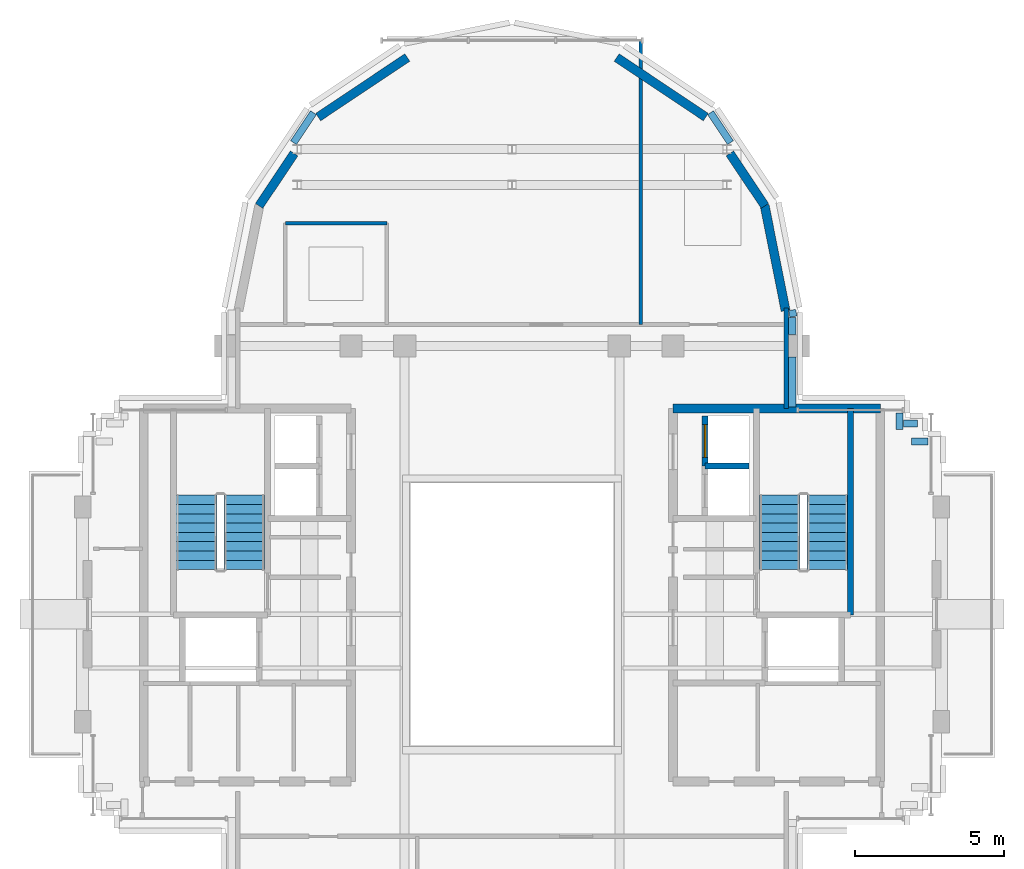
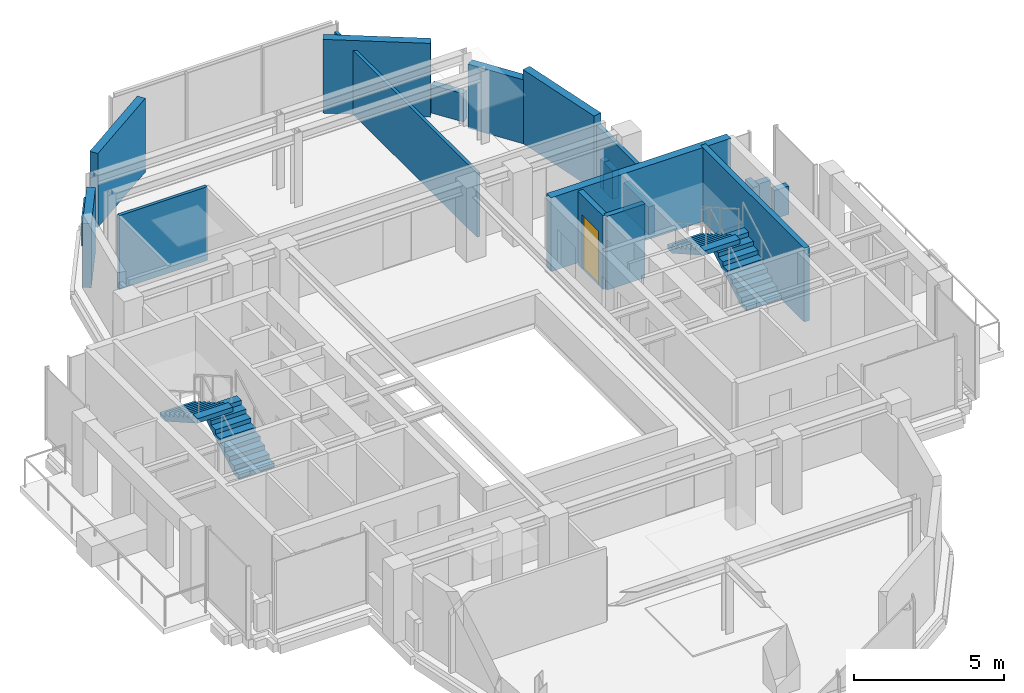
# One storey, part 9 of 12: 20 walls, 4 stair flights, 1 door, 1 opening, 2 elements without a shape of their own.
"""IFC4 building model written with IfcOpenShell, lengths in metres."""

from ifc_helpers import new_model, si_unit, direction, frame, frame_2d, origin, place, context, subcontext, project, spatial, polyline, rectangle, outline, extrude, source, transform, mapped, material, layer, layer_set, type_object, element, fill, aggregate, save


model = new_model("IFC4")

# Units and contexts
model_context = context("Model", 3, precision=1e-05, world=origin(), true_north=direction((0.0, 1.0)))
body_context = subcontext(model_context, "Body", "Model", "MODEL_VIEW")
ifc_project = project(units=[si_unit("LENGTHUNIT", "METRE"), si_unit("AREAUNIT", "SQUARE_METRE"), si_unit("VOLUMEUNIT", "CUBIC_METRE"), si_unit("PLANEANGLEUNIT", "RADIAN"), si_unit("MASSUNIT", "GRAM", prefix="KILO")], contexts=[model_context])

# Site, building, storey
site_placement = place(None, origin())
site = spatial("IfcSite", under=ifc_project, at=site_placement, CompositionType="ELEMENT")
building_placement = place(site_placement, origin())
building = spatial("IfcBuilding", under=site, at=building_placement, Name="Keilestroom Media Tower", CompositionType="ELEMENT")
storey_placement = place(building_placement, frame((0.0, 0.0, 258.800048828125)))
storey = spatial("IfcBuildingStorey", under=building, at=storey_placement, Name="L72", CompositionType="ELEMENT", Elevation=258.800048828125)

# Walls
ifc_material_1 = material(Name="Precast concrete C40/50", Category="concrete")
ifc_layer_1 = layer(ifc_material_1, 0.300048828125)
ifc_layer_set_1 = layer_set([ifc_layer_1], Name="Precast concrete C40/50")
wall_type_1 = type_object("IfcWallType", Name="Exterior-Masonry-Spandrel-Wall-300", PredefinedType="SOLIDWALL", material=ifc_layer_set_1)
wall_1_placement = place(storey_placement, frame((9.1748046875, 10.185302734375, 0.0), z_axis=(0.0, 0.0, 1.0), x_axis=(-0.195114232679, 0.980780523974, 0.0)))
element("IfcWall", 1, at=wall_1_placement, inside=storey, type_object=wall_type_1, Name="L72 Lobe Facet Precast Frame Wall 01", PredefinedType="SOLIDWALL", context=body_context, shape_type="SweptSolid", body=[
    extrude(rectangle(XDim=3.608642578125, YDim=0.300048828125, at=frame_2d((1.80419921875, 0.0))), origin(), (0.0, 0.0, 1.0), 3.010009765625),
])
wall_2_placement = place(storey_placement, frame((8.48193359375, 13.697509765625, 0.0), z_axis=(0.0, 0.0, 1.0), x_axis=(-0.555604299396, 0.831446848868, 0.0)))
element("IfcWall", 2, at=wall_2_placement, inside=storey, type_object=wall_type_1, Name="L72 Lobe Facet Precast Frame Wall 02", PredefinedType="SOLIDWALL", context=body_context, shape_type="SweptSolid", body=[
    extrude(rectangle(XDim=2.117919921875, YDim=0.300048828125, at=frame_2d((1.05908203125, 0.0))), origin(), (0.0, 0.0, 1.0), 2.60986328125),
])
for number, where, z_axis, x_axis, name in (
    (3, (6.497802734375, 16.677001953125, 0.0), (0.0, 0.0, 1.0), (-0.831443568068, 0.555609208993, 0.0), "L72 Lobe Facet Precast Frame Wall 03"),
    (4, (-3.510009765625, 18.673583984375, 0.0), (0.0, 0.0, 1.0), (-0.831443568068, -0.555609208993, 0.0), "L72 Lobe Facet Precast Frame Wall 04"),
):
    element("IfcWall", number, at=place(storey_placement, frame(where, z_axis=z_axis, x_axis=x_axis)), inside=storey, type_object=wall_type_1, Name=name, PredefinedType="SOLIDWALL", context=body_context, shape_type="SweptSolid", body=[
        extrude(rectangle(XDim=3.593505859375, YDim=0.300048828125, at=frame_2d((1.796875, 0.0))), origin(), (0.0, 0.0, 1.0), 3.010009765625),
    ])
wall_3_placement = place(storey_placement, frame((-7.30517578125, 15.45849609375, 0.0), z_axis=(0.0, 0.0, 1.0), x_axis=(-0.555604299396, -0.831446848868, 0.0)))
element("IfcWall", 5, at=wall_3_placement, inside=storey, type_object=wall_type_1, Name="L72 Lobe Facet Precast Frame Wall 05", PredefinedType="SOLIDWALL", context=body_context, shape_type="SweptSolid", body=[
    extrude(rectangle(XDim=2.117919921875, YDim=0.300048828125, at=frame_2d((1.05908203125, 0.0))), origin(), (0.0, 0.0, 1.0), 2.60986328125),
])
ifc_material_2 = material(Name="Gypsum Plasterboard & Steel Stud", Category="steel")
ifc_layer_2 = layer(ifc_material_2, 0.1201171875)
ifc_layer_set_2 = layer_set([ifc_layer_2], Name="Gypsum Plasterboard & Steel Stud")
wall_type_2 = type_object("IfcWallType", Name="Interior-Partition-Wall-120", PredefinedType="PARTITIONING", material=ifc_layer_set_2)
wall_4_placement = place(storey_placement, frame((4.320068359375, 9.719970703125, 0.0), z_axis=(0.0, 0.0, 1.0), x_axis=(0.0, 1.0, 0.0)))
element("IfcWall", 6, at=wall_4_placement, inside=storey, type_object=wall_type_2, Name="L72 Interior Wall WP-L72-NL-V1", PredefinedType="PARTITIONING", context=body_context, shape_type="SweptSolid", body=[
    extrude(rectangle(XDim=9.530029296875, YDim=0.1201171875, at=frame_2d((4.76513671875, 0.0))), origin(), (0.0, 0.0, 1.0), 2.60986328125),
])
wall_5_placement = place(storey_placement, frame((-7.60009765625, 13.1201171875, 0.0), z_axis=(0.0, 0.0, 1.0), x_axis=(1.0, 0.0, 0.0)))
element("IfcWall", 7, at=wall_5_placement, inside=storey, type_object=wall_type_2, Name="L72 Interior Wall WP-L72-NL-WC-N", PredefinedType="PARTITIONING", context=body_context, shape_type="SweptSolid", body=[
    extrude(rectangle(XDim=3.400146484375, YDim=0.1201171875, at=frame_2d((1.7001953125, 0.0))), origin(), (0.0, 0.0, 1.0), 3.010009765625),
])
ifc_layer_3 = layer(ifc_material_2, 0.14990234375)
ifc_layer_set_3 = layer_set([ifc_layer_3], Name="Gypsum Plasterboard & Steel Stud")
wall_type_3 = type_object("IfcWallType", Name="Interior-Partition-Wall-150", PredefinedType="PARTITIONING", material=ifc_layer_set_3)
wall_6_placement = place(storey_placement, frame((9.199951171875, 6.89990234375, 0.0), z_axis=(0.0, 0.0, 1.0), x_axis=(0.0, 1.0, 0.0)))
element("IfcWall", 8, at=wall_6_placement, inside=storey, type_object=wall_type_3, Name="L72 Interior Wall WP-L72-NL-CHKE", PredefinedType="PARTITIONING", context=body_context, shape_type="SweptSolid", body=[
    extrude(rectangle(XDim=3.380126953125, YDim=0.14990234375, at=frame_2d((1.68994140625, 0.0))), origin(), (0.0, 0.0, 1.0), 2.60986328125),
])
ifc_material_3 = material(Name="Concrete C50/60", Category="concrete")
ifc_layer_4 = layer(ifc_material_3, 0.300048828125)
ifc_layer_set_4 = layer_set([ifc_layer_4], Name="Concrete C50/60")
wall_type_4 = type_object("IfcWallType", Name="Reinforced-Concrete-Core-Shear-Wall-300", PredefinedType="SHEAR", material=ifc_layer_set_4)
wall_7_placement = place(storey_placement, frame((5.39990234375, 6.89990234375, 0.0), z_axis=(0.0, 0.0, 1.0), x_axis=(1.0, 0.0, 0.0)))
element("IfcWall", 9, at=wall_7_placement, inside=storey, type_object=wall_type_4, Name="L72 Core Shear Wall WL-L72-CORE-E-N", PredefinedType="SHEAR", context=body_context, shape_type="SweptSolid", body=[
    extrude(rectangle(XDim=6.9501953125, YDim=0.300048828125, at=frame_2d((3.47509765625, 0.0))), origin(), (0.0, 0.0, 1.0), 3.010009765625),
])
ifc_layer_5 = layer(ifc_material_3, 0.199951171875)
ifc_layer_set_5 = layer_set([ifc_layer_5], Name="Concrete C50/60")
wall_type_5 = type_object("IfcWallType", Name="Reinforced-Concrete-Shaft-Wall-200", PredefinedType="SOLIDWALL", material=ifc_layer_set_5)
wall_8_placement = place(storey_placement, frame((11.35595703125, -0.01611328125, 0.0), z_axis=(0.0, 0.0, 1.0), x_axis=(0.0, 1.0, 0.0)))
element("IfcWall", 10, at=wall_8_placement, inside=storey, type_object=wall_type_5, Name="L72 Core Shear Wall WL-L72-STW-E-FAR", PredefinedType="SOLIDWALL", context=body_context, shape_type="SweptSolid", body=[
    extrude(rectangle(XDim=6.916015625, YDim=0.199951171875, at=frame_2d((3.4580078125, 0.0))), origin(), (0.0, 0.0, 1.0), 3.010009765625),
])
wall_9_placement = place(storey_placement, frame((6.47998046875, 4.97998046875, 0.0), z_axis=(0.0, 0.0, 1.0), x_axis=(1.0, 0.0, 0.0)))
element("IfcWall", 11, at=wall_9_placement, inside=storey, type_object=wall_type_5, Name="L72 Core Shear Wall WL-L72-LSH-PL-H3-N", PredefinedType="SOLIDWALL", context=body_context, shape_type="SweptSolid", body=[
    extrude(rectangle(XDim=1.469970703125, YDim=0.199951171875, at=frame_2d((0.73486328125, 0.0))), origin(), (0.0, 0.0, 1.0), 3.010009765625),
])

# Wall, opening, door
wall_10_placement = place(storey_placement, frame((6.47998046875, 4.97998046875, 0.0), z_axis=(0.0, 0.0, 1.0), x_axis=(0.0, 1.0, 0.0)))
wall_10 = element("IfcWall", 12, at=wall_10_placement, inside=storey, type_object=wall_type_5, Name="L72 Core Shear Wall WL-L72-LSH-PL-H4-W", PredefinedType="SOLIDWALL", context=body_context, shape_type="SweptSolid", body=[
    extrude(rectangle(XDim=1.669921875, YDim=0.199951171875, at=frame_2d((0.8349609375, 0.0))), origin(), (0.0, 0.0, 1.0), 3.010009765625),
])
opening_placement = place(wall_10_placement, frame((0.284912109375, 0.0, 0.0)))
opening = element("IfcOpeningElement", 13, at=opening_placement, cuts=wall_10, Name="Opening LD-01", PredefinedType="OPENING", context=body_context, shape_type="SweptSolid", body=[
    extrude(rectangle(XDim=1.10009765625, YDim=2.199951171875, at=frame_2d((0.550048828125, 1.10009765625))), frame((0.0, 0.10986328125, 0.0), z_axis=(0.0, -1.0, 0.0), x_axis=(1.0, 0.0, 0.0)), (0.0, 0.0, 1.0), 0.219970703125),
])
ifc_material_4 = material(Name="Brushed Stainless Steel Sliding Leaf", Category="steel")
door_type = type_object("IfcDoorType", Name="Lift-Landing-Sliding-Door-LD-01", OperationType="SLIDING_TO_LEFT", PredefinedType="DOOR", material=ifc_material_4)
shared_shape = source(origin(), body_context, "Body", "SweptSolid", [
    extrude(rectangle(XDim=1.10009765625, YDim=2.199951171875, at=frame_2d((0.550048828125, 1.10009765625))), frame((0.0, 0.02490234375, 0.0), z_axis=(0.0, -1.0, 0.0), x_axis=(1.0, 0.0, 0.0)), (0.0, 0.0, 1.0), 0.050048828125),
])
door_placement = place(opening_placement, origin())
door = element("IfcDoor", 14, at=door_placement, inside=storey, type_object=door_type, Name="L72 Lift PL-H4 Landing Sliding Door", OperationType="SLIDING_TO_LEFT", OverallHeight=2.199951171875, OverallWidth=1.10009765625, PredefinedType="DOOR", context=body_context, shape_type="MappedRepresentation", body=[
    mapped(shared_shape, transform((0.0, 0.0, 0.0), x_axis=(1.0, 0.0, 0.0), y_axis=(0.0, 1.0, 0.0), z_axis=(0.0, 0.0, 1.0), scale=1.0)),
])
fill(opening, door)

# Walls
ifc_layer_6 = layer(ifc_material_1, 0.239990234375)
ifc_layer_set_6 = layer_set([ifc_layer_6], Name="Precast concrete C40/50")
wall_type_6 = type_object("IfcWallType", Name="Roof-And-Terrace-Parapet-Wall-240", PredefinedType="PARAPET", material=ifc_layer_set_6)
for number, where, z_axis, x_axis, name in (
    (15, (-7.328125, 15.8203125, 0.0), (0.0, 0.0, 1.0), (0.555585388542, 0.831459485506, 0.0), "L72 Perimeter Edge Parapet Wall 18"),
    (16, (6.656494140625, 16.825439453125, 0.0), (0.0, 0.0, 1.0), (0.555585388542, -0.831459485506, 0.0), "L72 Perimeter Edge Parapet Wall 19"),
):
    element("IfcWall", number, at=place(storey_placement, frame(where, z_axis=z_axis, x_axis=x_axis)), inside=storey, type_object=wall_type_6, Name=name, PredefinedType="PARAPET", context=body_context, shape_type="SweptSolid", body=[
        extrude(rectangle(XDim=1.208984375, YDim=0.239990234375, at=frame_2d((0.6044921875, 0.0))), origin(), (0.0, 0.0, 1.0), 1.14990234375),
    ])
wall_11_placement = place(storey_placement, frame((9.395263671875, 10.2041015625, 0.0), z_axis=(0.0, 0.0, 1.0), x_axis=(0.194859894132, -0.980831087221, 0.0)))
element("IfcWall", 17, at=wall_11_placement, inside=storey, type_object=wall_type_6, Name="L72 Perimeter Edge Parapet Wall 20", PredefinedType="PARAPET", context=body_context, shape_type="SweptSolid", body=[
    extrude(rectangle(XDim=0.224365234375, YDim=0.239990234375, at=frame_2d((0.1123046875, 0.0))), origin(), (0.0, 0.0, 1.0), 1.14990234375),
])
wall_12_placement = place(storey_placement, frame((9.39990234375, 9.957763671875, 0.0), z_axis=(0.0, 0.0, 1.0), x_axis=(0.0, -1.0, 0.0)))
element("IfcWall", 18, at=wall_12_placement, inside=storey, type_object=wall_type_6, Name="L72 Perimeter Edge Parapet Wall 21", PredefinedType="PARAPET", context=body_context, shape_type="SweptSolid", body=[
    extrude(rectangle(XDim=0.579833984375, YDim=0.239990234375, at=frame_2d((0.2900390625, 0.0))), origin(), (0.0, 0.0, 1.0), 1.14990234375),
])
wall_13_placement = place(storey_placement, frame((9.39990234375, 8.6220703125, 0.0), z_axis=(0.0, 0.0, 1.0), x_axis=(0.0, -1.0, 0.0)))
element("IfcWall", 19, at=wall_13_placement, inside=storey, type_object=wall_type_6, Name="L72 Perimeter Edge Parapet Wall 22", PredefinedType="PARAPET", context=body_context, shape_type="SweptSolid", body=[
    extrude(rectangle(XDim=1.669189453125, YDim=0.239990234375, at=frame_2d((0.83447265625, 0.0))), origin(), (0.0, 0.0, 1.0), 1.14990234375),
])
wall_14_placement = place(storey_placement, frame((13.0, 6.757080078125, 0.0), z_axis=(0.0, 0.0, 1.0), x_axis=(0.0, -1.0, 0.0)))
element("IfcWall", 20, at=wall_14_placement, inside=storey, type_object=wall_type_6, Name="L72 Perimeter Edge Parapet Wall 23", PredefinedType="PARAPET", context=body_context, shape_type="SweptSolid", body=[
    extrude(rectangle(XDim=0.55712890625, YDim=0.239990234375, at=frame_2d((0.278564453125, 0.0))), origin(), (0.0, 0.0, 1.0), 1.14990234375),
])
wall_15_placement = place(storey_placement, frame((13.123046875, 6.39990234375, 0.0), z_axis=(0.0, 0.0, 1.0), x_axis=(1.0, 0.0, 0.0)))
element("IfcWall", 21, at=wall_15_placement, inside=storey, type_object=wall_type_6, Name="L72 Perimeter Edge Parapet Wall 24", PredefinedType="PARAPET", context=body_context, shape_type="SweptSolid", body=[
    extrude(rectangle(XDim=0.47705078125, YDim=0.239990234375, at=frame_2d((0.238525390625, 0.0))), origin(), (0.0, 0.0, 1.0), 1.14990234375),
])
wall_16_placement = place(storey_placement, frame((13.39990234375, 5.800048828125, 0.0), z_axis=(0.0, 0.0, 1.0), x_axis=(1.0, 0.0, 0.0)))
element("IfcWall", 22, at=wall_16_placement, inside=storey, type_object=wall_type_6, Name="L72 Perimeter Edge Parapet Wall 25", PredefinedType="PARAPET", context=body_context, shape_type="SweptSolid", body=[
    extrude(rectangle(XDim=0.55712890625, YDim=0.239990234375, at=frame_2d((0.278564453125, 0.0))), origin(), (0.0, 0.0, 1.0), 1.14990234375),
])

# Stair, stair flights
ifc_material_5 = material(Name="Concrete C45/55", Category="concrete")
stair_type = type_object("IfcStairType", Name="Enclosed-Dog-Leg-Stair-ST-CORE", PredefinedType="HALF_TURN_STAIR", material=ifc_material_5)
stair_1_placement = place(storey_placement, origin())
stair_1 = element("IfcStair", 23, at=stair_1_placement, inside=storey, type_object=stair_type, Name="L72 West Core Escape Stair ST-1", PredefinedType="HALF_TURN_STAIR")
stair_flight_type = type_object("IfcStairFlightType", Name="Precast-Concrete-Stair-Flight-Core-160", PredefinedType="STRAIGHT", material=ifc_material_1)
stair_flight_1_placement = place(storey_placement, frame((-8.97998046875, 1.5, 0.0), z_axis=(0.0, 0.0, 1.0), x_axis=(0.0, 1.0, 0.0)))
stair_flight_1 = element("IfcStairFlight", 24, at=stair_flight_1_placement, type_object=stair_flight_type, Name="ST-1 flight 1", NumberOfRisers=9, NumberOfTreads=8, PredefinedType="STRAIGHT", RiserHeight=0.177777778, TreadLength=0.312, context=body_context, shape_type="SweptSolid", body=[
    extrude(outline(polyline([(0.0, 0.0), (0.0, 0.177734375), (0.31201171875, 0.177734375), (0.31201171875, 0.35546875), (0.6240234375, 0.35546875), (0.6240234375, 0.533447265625), (0.93603515625, 0.533447265625), (0.93603515625, 0.711181640625), (1.248046875, 0.711181640625), (1.248046875, 0.888916015625), (1.56005859375, 0.888916015625), (1.56005859375, 1.066650390625), (1.8720703125, 1.066650390625), (1.8720703125, 1.244384765625), (2.18408203125, 1.244384765625), (2.18408203125, 1.422119140625), (2.49609375, 1.422119140625), (2.49609375, 1.60009765625), (2.49609375, 1.23828125), (0.322998046875, 0.0), (0.0, 0.0)])), frame((0.0, 0.68017578125, 0.0), z_axis=(0.0, -1.0, 0.0), x_axis=(1.0, 0.0, 0.0)), (0.0, 0.0, 1.0), 1.360107421875),
])
stair_flight_2_placement = place(storey_placement, frame((-10.580078125, 3.99609375, 1.599853515625), z_axis=(0.0, 0.0, 1.0), x_axis=(0.0, -1.0, 0.0)))
stair_flight_2 = element("IfcStairFlight", 25, at=stair_flight_2_placement, type_object=stair_flight_type, Name="ST-1 flight 2", NumberOfRisers=9, NumberOfTreads=8, PredefinedType="STRAIGHT", RiserHeight=0.177777778, TreadLength=0.312, context=body_context, shape_type="SweptSolid", body=[
    extrude(outline(polyline([(0.0, 0.0), (0.0, 0.177734375), (0.31201171875, 0.177734375), (0.31201171875, 0.35546875), (0.6240234375, 0.35546875), (0.6240234375, 0.533447265625), (0.93603515625, 0.533447265625), (0.93603515625, 0.711181640625), (1.248046875, 0.711181640625), (1.248046875, 0.888916015625), (1.56005859375, 0.888916015625), (1.56005859375, 1.066650390625), (1.8720703125, 1.066650390625), (1.8720703125, 1.244384765625), (2.18408203125, 1.244384765625), (2.18408203125, 1.422119140625), (2.49609375, 1.422119140625), (2.49609375, 1.60009765625), (2.49609375, 1.23828125), (0.322998046875, 0.0), (0.0, 0.0)])), frame((0.0, 0.68017578125, 0.0), z_axis=(0.0, -1.0, 0.0), x_axis=(1.0, 0.0, 0.0)), (0.0, 0.0, 1.0), 1.360107421875),
])
aggregate(stair_1, [stair_flight_1, stair_flight_2])

stair_2_placement = place(storey_placement, origin())
stair_2 = element("IfcStair", 26, at=stair_2_placement, inside=storey, type_object=stair_type, Name="L72 East Core Escape Stair ST-2", PredefinedType="HALF_TURN_STAIR")
stair_flight_3_placement = place(storey_placement, frame((10.580078125, 1.5, 0.0), z_axis=(0.0, 0.0, 1.0), x_axis=(0.0, 1.0, 0.0)))
stair_flight_3 = element("IfcStairFlight", 27, at=stair_flight_3_placement, type_object=stair_flight_type, Name="ST-2 flight 1", NumberOfRisers=9, NumberOfTreads=8, PredefinedType="STRAIGHT", RiserHeight=0.177777778, TreadLength=0.312, context=body_context, shape_type="SweptSolid", body=[
    extrude(outline(polyline([(0.0, 0.0), (0.0, 0.177734375), (0.31201171875, 0.177734375), (0.31201171875, 0.35546875), (0.6240234375, 0.35546875), (0.6240234375, 0.533447265625), (0.93603515625, 0.533447265625), (0.93603515625, 0.711181640625), (1.248046875, 0.711181640625), (1.248046875, 0.888916015625), (1.56005859375, 0.888916015625), (1.56005859375, 1.066650390625), (1.8720703125, 1.066650390625), (1.8720703125, 1.244384765625), (2.18408203125, 1.244384765625), (2.18408203125, 1.422119140625), (2.49609375, 1.422119140625), (2.49609375, 1.60009765625), (2.49609375, 1.23828125), (0.322998046875, 0.0), (0.0, 0.0)])), frame((0.0, 0.68017578125, 0.0), z_axis=(0.0, -1.0, 0.0), x_axis=(1.0, 0.0, 0.0)), (0.0, 0.0, 1.0), 1.360107421875),
])
stair_flight_4_placement = place(storey_placement, frame((8.97998046875, 3.99609375, 1.599853515625), z_axis=(0.0, 0.0, 1.0), x_axis=(0.0, -1.0, 0.0)))
stair_flight_4 = element("IfcStairFlight", 28, at=stair_flight_4_placement, type_object=stair_flight_type, Name="ST-2 flight 2", NumberOfRisers=9, NumberOfTreads=8, PredefinedType="STRAIGHT", RiserHeight=0.177777778, TreadLength=0.312, context=body_context, shape_type="SweptSolid", body=[
    extrude(outline(polyline([(0.0, 0.0), (0.0, 0.177734375), (0.31201171875, 0.177734375), (0.31201171875, 0.35546875), (0.6240234375, 0.35546875), (0.6240234375, 0.533447265625), (0.93603515625, 0.533447265625), (0.93603515625, 0.711181640625), (1.248046875, 0.711181640625), (1.248046875, 0.888916015625), (1.56005859375, 0.888916015625), (1.56005859375, 1.066650390625), (1.8720703125, 1.066650390625), (1.8720703125, 1.244384765625), (2.18408203125, 1.244384765625), (2.18408203125, 1.422119140625), (2.49609375, 1.422119140625), (2.49609375, 1.60009765625), (2.49609375, 1.23828125), (0.322998046875, 0.0), (0.0, 0.0)])), frame((0.0, 0.68017578125, 0.0), z_axis=(0.0, -1.0, 0.0), x_axis=(1.0, 0.0, 0.0)), (0.0, 0.0, 1.0), 1.360107421875),
])
aggregate(stair_2, [stair_flight_3, stair_flight_4])

save(model, "model.ifc")
